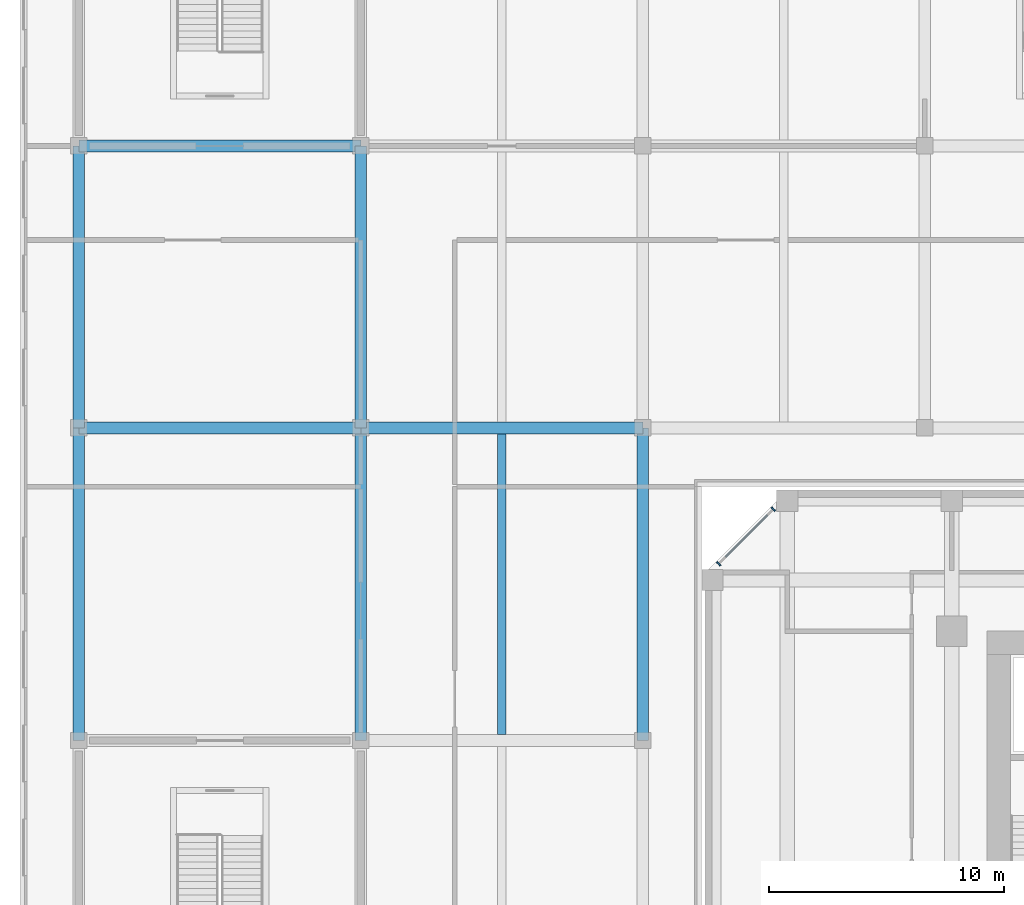
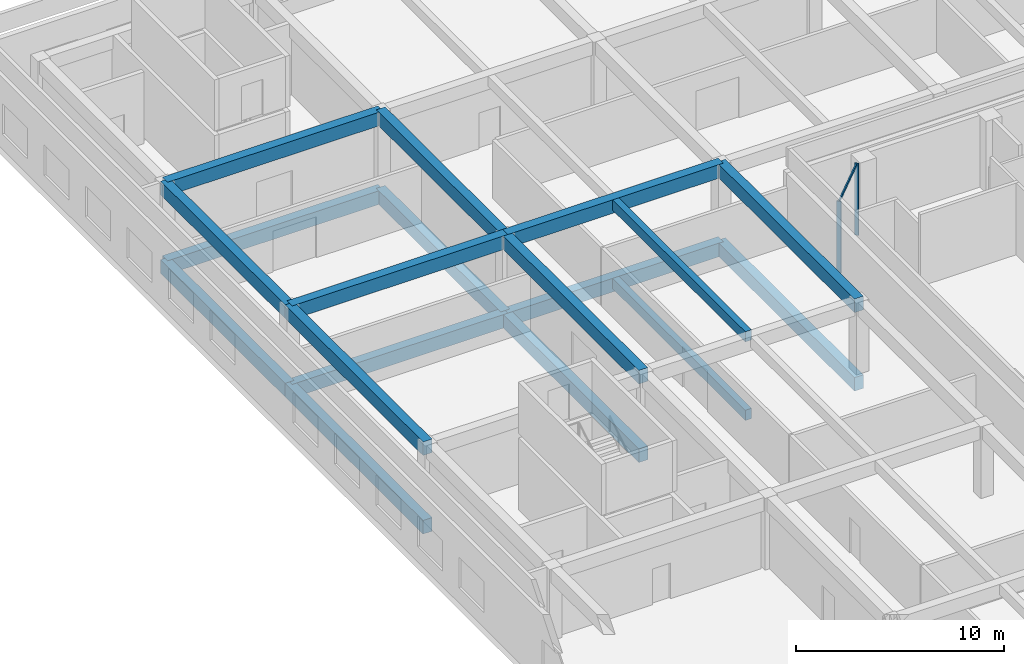
# One storey, part 8 of 35: 18 beams, 3 members, 1 element without a shape of its own.
"""IFC4 building model written with IfcOpenShell, lengths in metres."""

from ifc_helpers import new_model, si_unit, direction, frame, origin, origin_2d, place, context, subcontext, project, spatial, rectangle, extrude, source, transform, mapped, material, material_profile, profile_set, type_object, element, aggregate, save


model = new_model("IFC4")

# Units and contexts
model_context = context("Model", 3, precision=1e-05, world=origin(), true_north=direction((0.0, 1.0)))
body_context = subcontext(model_context, "Body", "Model", "MODEL_VIEW")
ifc_project = project(units=[si_unit("LENGTHUNIT", "METRE"), si_unit("AREAUNIT", "SQUARE_METRE"), si_unit("VOLUMEUNIT", "CUBIC_METRE"), si_unit("PLANEANGLEUNIT", "RADIAN"), si_unit("MASSUNIT", "GRAM", prefix="KILO")], contexts=[model_context])

# Site, building, storey
site_placement = place(None, origin())
site = spatial("IfcSite", under=ifc_project, at=site_placement, CompositionType="ELEMENT")
building_placement = place(site_placement, origin())
building = spatial("IfcBuilding", under=site, at=building_placement, Name="Kilnfold Tower and Market Hall", CompositionType="ELEMENT")
storey_placement = place(building_placement, frame((0.0, 0.0, 22.5)))
storey = spatial("IfcBuildingStorey", under=building, at=storey_placement, Name="L04", CompositionType="ELEMENT", Elevation=22.5)

# Beams
ifc_material_1 = material(Name="Concrete C40/50", Category="concrete")
ifc_material_profile_1 = material_profile(ifc_material_1, rectangle(XDim=0.5, YDim=0.800048828125, at=origin_2d()), Name="RC 500x800")
ifc_profile_set_1 = profile_set([ifc_material_profile_1], Name="Concrete C40/50")
beam_type_1 = type_object("IfcBeamType", Name="HALL GIRDER 500X800", PredefinedType="BEAM", material=ifc_profile_set_1)
beam_1_placement = place(storey_placement, frame((-54.64990234375, 17.35009765625, -0.800048828125), z_axis=(0.0, 1.0, 0.0), x_axis=(-1.0, 0.0, 0.0)))
element("IfcBeam", 1, at=beam_1_placement, inside=storey, type_object=beam_type_1, Name="Beam MG2.11", PredefinedType="BEAM", context=body_context, shape_type="SweptSolid", body=[
    extrude(rectangle(XDim=0.5, YDim=0.800048828125, at=origin_2d()), origin(), (0.0, 0.0, 1.0), 13.2998046875),
])
for number, where, z_axis, x_axis, name in (
    (2, (-54.64990234375, 30.64990234375, -0.800048828125), (0.0, 1.0, 0.0), (-1.0, 0.0, 0.0), "Beam MG2.13"),
    (3, (-54.64990234375, 30.64990234375, -0.800048828125), (1.0, 0.0, 0.0), (0.0, 1.0, 0.0), "Beam MG2.14"),
    (4, (-54.64990234375, 42.64990234375, -0.800048828125), (1.0, 0.0, 0.0), (0.0, 1.0, 0.0), "Beam MG2.16"),
):
    element("IfcBeam", number, at=place(storey_placement, frame(where, z_axis=z_axis, x_axis=x_axis)), inside=storey, type_object=beam_type_1, Name=name, PredefinedType="BEAM", context=body_context, shape_type="SweptSolid", body=[
        extrude(rectangle(XDim=0.5, YDim=0.800048828125, at=origin_2d()), origin(), (0.0, 0.0, 1.0), 12.0),
    ])
beam_2_placement = place(storey_placement, frame((-42.64990234375, 17.35009765625, -0.800048828125), z_axis=(0.0, 1.0, 0.0), x_axis=(-1.0, 0.0, 0.0)))
element("IfcBeam", 5, at=beam_2_placement, inside=storey, type_object=beam_type_1, Name="Beam MG2.28", PredefinedType="BEAM", context=body_context, shape_type="SweptSolid", body=[
    extrude(rectangle(XDim=0.5, YDim=0.800048828125, at=origin_2d()), origin(), (0.0, 0.0, 1.0), 13.2998046875),
])
for number, where, z_axis, x_axis, name in (
    (6, (-42.64990234375, 30.64990234375, -0.800048828125), (0.0, 1.0, 0.0), (-1.0, 0.0, 0.0), "Beam MG2.30"),
    (7, (-42.64990234375, 30.64990234375, -0.800048828125), (1.0, 0.0, 0.0), (0.0, 1.0, 0.0), "Beam MG2.31"),
):
    element("IfcBeam", number, at=place(storey_placement, frame(where, z_axis=z_axis, x_axis=x_axis)), inside=storey, type_object=beam_type_1, Name=name, PredefinedType="BEAM", context=body_context, shape_type="SweptSolid", body=[
        extrude(rectangle(XDim=0.5, YDim=0.800048828125, at=origin_2d()), origin(), (0.0, 0.0, 1.0), 12.0),
    ])
for number, where, z_axis, x_axis, name in (
    (8, (-30.64990234375, 17.35009765625, -0.800048828125), (0.0, 1.0, 0.0), (-1.0, 0.0, 0.0), "Beam MG2.39"),
    (9, (-54.64990234375, 17.35009765625, 3.820068359375), (0.0, 1.0, 0.0), (-1.0, 0.0, 0.0), "Roof beam MG2.R11"),
):
    element("IfcBeam", number, at=place(storey_placement, frame(where, z_axis=z_axis, x_axis=x_axis)), inside=storey, type_object=beam_type_1, Name=name, PredefinedType="BEAM", context=body_context, shape_type="SweptSolid", body=[
        extrude(rectangle(XDim=0.5, YDim=0.800048828125, at=origin_2d()), origin(), (0.0, 0.0, 1.0), 13.2998046875),
    ])
for number, where, z_axis, x_axis, name in (
    (10, (-54.64990234375, 30.64990234375, 3.820068359375), (0.0, 1.0, 0.0), (-1.0, 0.0, 0.0), "Roof beam MG2.R13"),
    (11, (-54.64990234375, 30.64990234375, 3.820068359375), (1.0, 0.0, 0.0), (0.0, 1.0, 0.0), "Roof beam MG2.R14"),
    (12, (-54.64990234375, 42.64990234375, 3.820068359375), (1.0, 0.0, 0.0), (0.0, 1.0, 0.0), "Roof beam MG2.R16"),
):
    element("IfcBeam", number, at=place(storey_placement, frame(where, z_axis=z_axis, x_axis=x_axis)), inside=storey, type_object=beam_type_1, Name=name, PredefinedType="BEAM", context=body_context, shape_type="SweptSolid", body=[
        extrude(rectangle(XDim=0.5, YDim=0.800048828125, at=origin_2d()), origin(), (0.0, 0.0, 1.0), 12.0),
    ])
beam_3_placement = place(storey_placement, frame((-42.64990234375, 17.35009765625, 3.820068359375), z_axis=(0.0, 1.0, 0.0), x_axis=(-1.0, 0.0, 0.0)))
element("IfcBeam", 13, at=beam_3_placement, inside=storey, type_object=beam_type_1, Name="Roof beam MG2.R26", PredefinedType="BEAM", context=body_context, shape_type="SweptSolid", body=[
    extrude(rectangle(XDim=0.5, YDim=0.800048828125, at=origin_2d()), origin(), (0.0, 0.0, 1.0), 13.2998046875),
])
for number, where, z_axis, x_axis, name in (
    (14, (-42.64990234375, 30.64990234375, 3.820068359375), (0.0, 1.0, 0.0), (-1.0, 0.0, 0.0), "Roof beam MG2.R28"),
    (15, (-42.64990234375, 30.64990234375, 3.820068359375), (1.0, 0.0, 0.0), (0.0, 1.0, 0.0), "Roof beam MG2.R29"),
):
    element("IfcBeam", number, at=place(storey_placement, frame(where, z_axis=z_axis, x_axis=x_axis)), inside=storey, type_object=beam_type_1, Name=name, PredefinedType="BEAM", context=body_context, shape_type="SweptSolid", body=[
        extrude(rectangle(XDim=0.5, YDim=0.800048828125, at=origin_2d()), origin(), (0.0, 0.0, 1.0), 12.0),
    ])
beam_4_placement = place(storey_placement, frame((-30.64990234375, 17.35009765625, 3.820068359375), z_axis=(0.0, 1.0, 0.0), x_axis=(-1.0, 0.0, 0.0)))
element("IfcBeam", 16, at=beam_4_placement, inside=storey, type_object=beam_type_1, Name="Roof beam MG2.R36", PredefinedType="BEAM", context=body_context, shape_type="SweptSolid", body=[
    extrude(rectangle(XDim=0.5, YDim=0.800048828125, at=origin_2d()), origin(), (0.0, 0.0, 1.0), 13.2998046875),
])
ifc_material_2 = material(Name="Concrete C40/50", Category="concrete")
ifc_material_profile_2 = material_profile(ifc_material_2, rectangle(XDim=0.35009765625, YDim=0.60009765625, at=origin_2d()), Name="RC 350x600")
ifc_profile_set_2 = profile_set([ifc_material_profile_2], Name="Concrete C40/50")
beam_type_2 = type_object("IfcBeamType", Name="HALL JOIST 350X600", PredefinedType="BEAM", material=ifc_profile_set_2)
for number, where, z_axis, x_axis, name in (
    (17, (-36.64990234375, 17.60009765625, -0.699951171875), (0.0, 1.0, 0.0), (-1.0, 0.0, 0.0), "Beam MJ1.6"),
    (18, (-36.64990234375, 17.60009765625, 3.919921875), (0.0, 1.0, 0.0), (-1.0, 0.0, 0.0), "Roof beam MJ1.R6"),
):
    element("IfcBeam", number, at=place(storey_placement, frame(where, z_axis=z_axis, x_axis=x_axis)), inside=storey, type_object=beam_type_2, Name=name, PredefinedType="BEAM", context=body_context, shape_type="SweptSolid", body=[
        extrude(rectangle(XDim=0.35009765625, YDim=0.60009765625, at=origin_2d()), origin(), (0.0, 0.0, 1.0), 12.7998046875),
    ])

# Curtain wall, members
ifc_material_3 = material(Name="Aluminium and double glazing", Category="aluminium")
curtain_wall_type = type_object("IfcCurtainWallType", Name="CW BASE PODIUM GLAZING", PredefinedType="NOTDEFINED", material=ifc_material_3)
curtain_wall_placement = place(storey_placement, origin())
curtain_wall = element("IfcCurtainWall", 19, at=curtain_wall_placement, inside=storey, type_object=curtain_wall_type, Name="Curtain wall CW4 L04 NW", PredefinedType="NOTDEFINED")
ifc_material_4 = material(Name="Aluminium", Category="aluminium")
ifc_material_profile_3 = material_profile(ifc_material_4, rectangle(XDim=0.070068359375, YDim=0.159912109375, at=origin_2d()), Name="TRANSOM 70x160")
ifc_profile_set_3 = profile_set([ifc_material_profile_3], Name="Aluminium")
member_type_1 = type_object("IfcMemberType", Name="TRANSOM 70X160", PredefinedType="USERDEFINED", material=ifc_profile_set_3)
shared_shape_1 = source(origin(), body_context, "Body", "SweptSolid", [
    extrude(rectangle(XDim=0.070068359375, YDim=0.159912109375, at=origin_2d()), origin(), (0.0, 0.0, 1.0), 3.218994140625),
])
member_1_placement = place(storey_placement, frame((-25.118408203125, 27.16943359375, 4.18505859375), z_axis=(-0.707106781187, -0.707106781187, 0.0), x_axis=(0.707106781187, -0.707106781187, 0.0)))
member_1 = element("IfcMember", 20, at=member_1_placement, type_object=member_type_1, Name="CW4 transom 1.2", ObjectType="TRANSOM", PredefinedType="USERDEFINED", context=body_context, shape_type="MappedRepresentation", body=[
    mapped(shared_shape_1, transform((0.0, 0.0, 0.0))),
])
ifc_material_5 = material(Name="Aluminium", Category="aluminium")
ifc_material_profile_4 = material_profile(ifc_material_5, rectangle(XDim=0.070068359375, YDim=0.219970703125, at=origin_2d()), Name="MULLION 70x220")
ifc_profile_set_4 = profile_set([ifc_material_profile_4], Name="Aluminium")
member_type_2 = type_object("IfcMemberType", Name="MULLION 70X220", PredefinedType="MULLION", material=ifc_profile_set_4)
shared_shape_2 = source(origin(), body_context, "Body", "SweptSolid", [
    extrude(rectangle(XDim=0.070068359375, YDim=0.219970703125, at=origin_2d()), origin(), (0.0, 0.0, 1.0), 4.219970703125),
])
member_2_placement = place(storey_placement, frame((-25.09375, 27.194091796875, 0.0), z_axis=(0.0, 0.0, 1.0), x_axis=(-0.707121667181, -0.707091894879, 0.0)))
member_2 = element("IfcMember", 21, at=member_2_placement, type_object=member_type_2, Name="CW4 mullion 1", PredefinedType="MULLION", context=body_context, shape_type="MappedRepresentation", body=[
    mapped(shared_shape_2, transform((0.0, 0.0, 0.0))),
])
member_3_placement = place(storey_placement, frame((-27.419189453125, 24.86865234375, 0.0), z_axis=(0.0, 0.0, 1.0), x_axis=(-0.707121667181, -0.707091894879, 0.0)))
member_3 = element("IfcMember", 22, at=member_3_placement, type_object=member_type_2, Name="CW4 mullion 2", PredefinedType="MULLION", context=body_context, shape_type="MappedRepresentation", body=[
    mapped(shared_shape_2, transform((0.0, 0.0, 0.0))),
])
aggregate(curtain_wall, [member_2, member_3, member_1])

save(model, "model.ifc")
